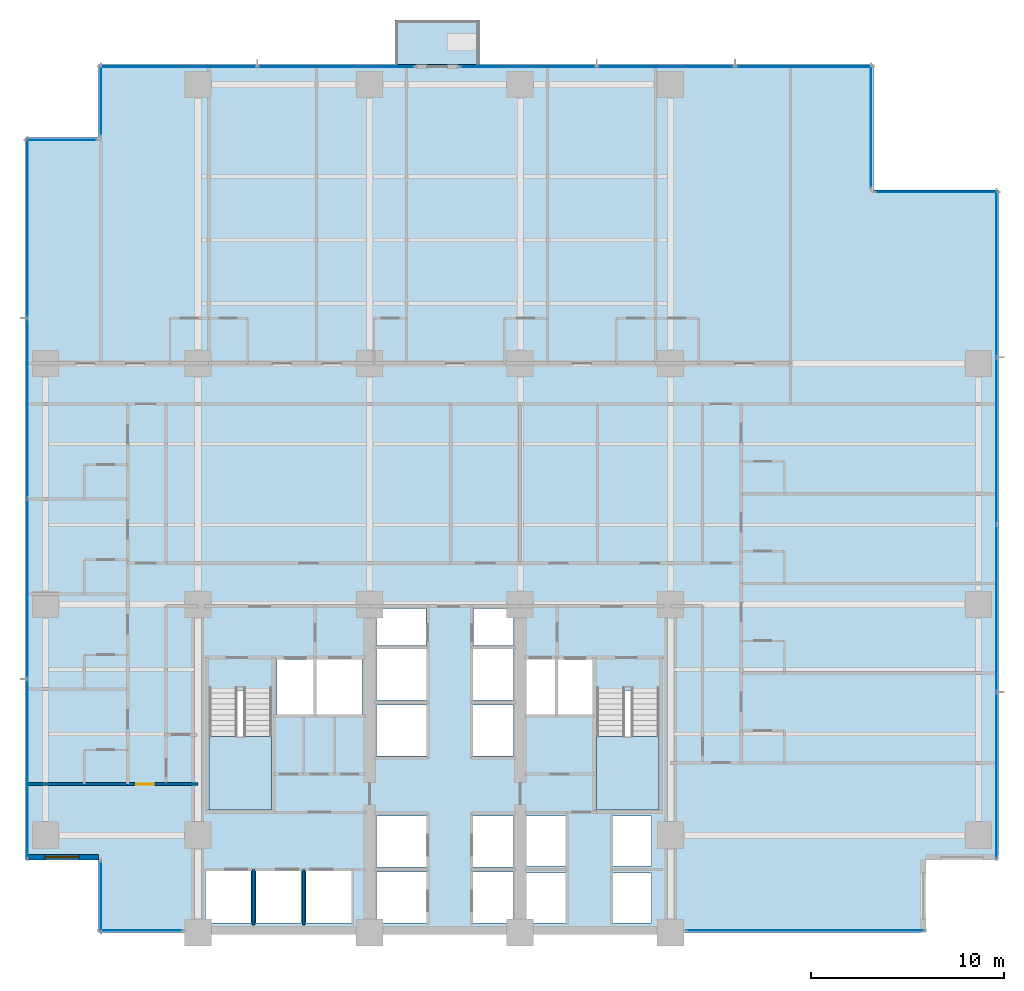
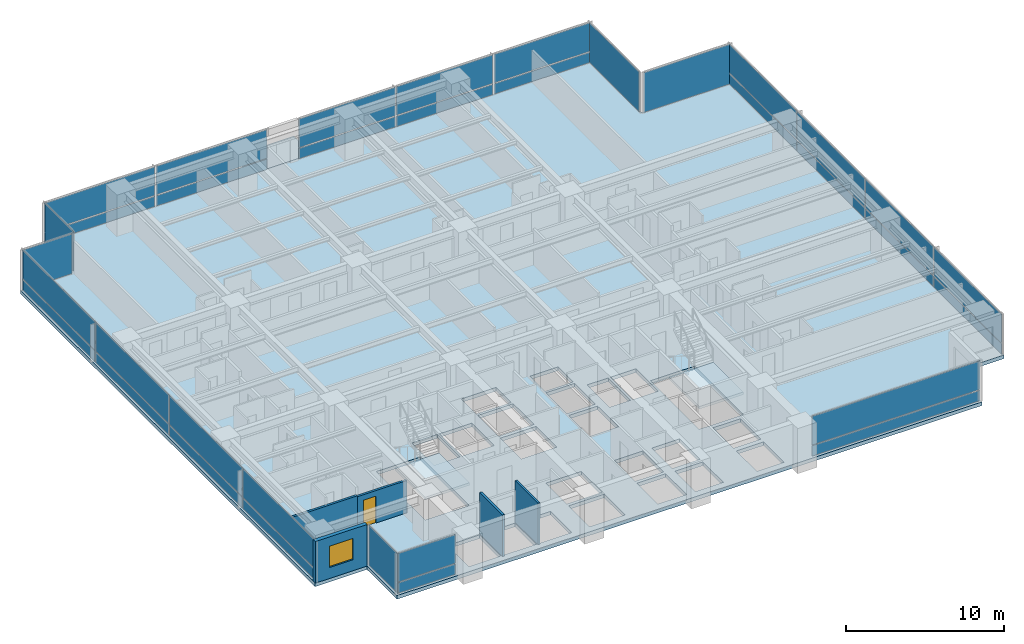
# One storey, part 6 of 17: 35 plates, 5 walls, 4 slabs, 1 door, 1 window, 2 openings, 13 elements without a shape of their own.
"""IFC4 building model written with IfcOpenShell, lengths in metres."""

from ifc_helpers import new_model, si_unit, direction, frame, frame_2d, origin, origin_2d, place, context, subcontext, project, spatial, polyline, rectangle, outline, extrude, material, layer, layer_set, type_object, element, fill, aggregate, save


model = new_model("IFC4")

# Units and contexts
model_context = context("Model", 3, precision=1e-05, world=origin(), true_north=direction((0.0, 1.0)))
body_context = subcontext(model_context, "Body", "Model", "MODEL_VIEW")
ifc_project = project(units=[si_unit("LENGTHUNIT", "METRE"), si_unit("AREAUNIT", "SQUARE_METRE"), si_unit("VOLUMEUNIT", "CUBIC_METRE"), si_unit("PLANEANGLEUNIT", "RADIAN"), si_unit("MASSUNIT", "GRAM", prefix="KILO")], contexts=[model_context])

# Site, building, storey
site_placement = place(None, origin())
site = spatial("IfcSite", under=ifc_project, at=site_placement, CompositionType="ELEMENT")
building_placement = place(site_placement, origin())
building = spatial("IfcBuilding", under=site, at=building_placement, Name="Qalmaran Belvedere Hotel", CompositionType="ELEMENT")
storey_placement = place(building_placement, frame((0.0, 0.0, 61.39990234375)))
storey = spatial("IfcBuildingStorey", under=building, at=storey_placement, Name="L15", CompositionType="ELEMENT", Elevation=61.39990234375)

# Curtain wall, plate
ifc_material_1 = material(Name="Anodised Bronze Aluminium", Category="aluminium")
ifc_layer_1 = layer(ifc_material_1, 0.2099609375, Name="Anodised Bronze Aluminium")
ifc_layer_set_1 = layer_set([ifc_layer_1], Name="Anodised Bronze Aluminium")
curtain_wall_type = type_object("IfcCurtainWallType", Name="CW2-TOWER-LOWER", PredefinedType="NOTDEFINED", material=ifc_layer_set_1)
curtain_wall_1_placement = place(storey_placement, origin())
curtain_wall_1 = element("IfcCurtainWall", 1, at=curtain_wall_1_placement, inside=storey, type_object=curtain_wall_type, Name="L15 Curtain Wall CW2", PredefinedType="NOTDEFINED")
ifc_material_2 = material(Name="Anodised Bronze Spandrel Panel")
ifc_layer_2 = layer(ifc_material_2, 0.035888671875, Name="Anodised Bronze Spandrel Panel")
ifc_layer_set_2 = layer_set([ifc_layer_2], Name="Anodised Bronze Spandrel Panel")
plate_type_1 = type_object("IfcPlateType", Name="CWP-SPANDREL-36", PredefinedType="CURTAIN_PANEL", material=ifc_layer_set_2)
plate_1_placement = place(storey_placement, frame((17.35498046875, 3.6201171875, 0.0703125), z_axis=(0.0, 0.0, 1.0), x_axis=(1.0, 0.0, 0.0)))
plate_1 = element("IfcPlate", 2, at=plate_1_placement, type_object=plate_type_1, Name="CW2 panel 1.1", PredefinedType="CURTAIN_PANEL", context=body_context, shape_type="SweptSolid", body=[
    extrude(rectangle(XDim=4.260009765625, YDim=0.035888671875, at=origin_2d()), origin(), (0.0, 0.0, 1.0), 0.796630859375),
])

curtain_wall_2_placement = place(storey_placement, origin())
curtain_wall_2 = element("IfcCurtainWall", 3, at=curtain_wall_2_placement, inside=storey, type_object=curtain_wall_type, Name="L15 Curtain Wall CW2", PredefinedType="NOTDEFINED")
plate_2_placement = place(storey_placement, frame((51.77001953125, 3.6201171875, 0.0703125), z_axis=(0.0, 0.0, 1.0), x_axis=(1.0, 0.0, 0.0)))
plate_2 = element("IfcPlate", 4, at=plate_2_placement, type_object=plate_type_1, Name="CW2 panel 1.1", PredefinedType="CURTAIN_PANEL", context=body_context, shape_type="SweptSolid", body=[
    extrude(rectangle(XDim=12.31005859375, YDim=0.035888671875, at=origin_2d()), origin(), (0.0, 0.0, 1.0), 0.796630859375),
])

# Curtain wall, plates
curtain_wall_3_placement = place(storey_placement, origin())
curtain_wall_3 = element("IfcCurtainWall", 5, at=curtain_wall_3_placement, inside=storey, type_object=curtain_wall_type, Name="L15 Curtain Wall CW2", PredefinedType="NOTDEFINED")
plate_3_placement = place(storey_placement, frame((61.679931640625, 11.65625, 0.0703125), z_axis=(0.0, 0.0, 1.0), x_axis=(0.0, 1.0, 0.0)))
plate_3 = element("IfcPlate", 6, at=plate_3_placement, type_object=plate_type_1, Name="CW2 panel 1.1", PredefinedType="CURTAIN_PANEL", context=body_context, shape_type="SweptSolid", body=[
    extrude(rectangle(XDim=8.5625, YDim=0.035888671875, at=origin_2d()), origin(), (0.0, 0.0, 1.0), 0.796630859375),
])
plate_4_placement = place(storey_placement, frame((61.679931640625, 20.3125, 0.0703125), z_axis=(0.0, 0.0, 1.0), x_axis=(0.0, 1.0, 0.0)))
plate_4 = element("IfcPlate", 7, at=plate_4_placement, type_object=plate_type_1, Name="CW2 panel 2.1", PredefinedType="CURTAIN_PANEL", context=body_context, shape_type="SweptSolid", body=[
    extrude(rectangle(XDim=8.60009765625, YDim=0.035888671875, at=origin_2d()), origin(), (0.0, 0.0, 1.0), 0.796630859375),
])
plate_5_placement = place(storey_placement, frame((61.679931640625, 28.987548828125, 0.0703125), z_axis=(0.0, 0.0, 1.0), x_axis=(0.0, 1.0, 0.0)))
plate_5 = element("IfcPlate", 8, at=plate_5_placement, type_object=plate_type_1, Name="CW2 panel 3.1", PredefinedType="CURTAIN_PANEL", context=body_context, shape_type="SweptSolid", body=[
    extrude(rectangle(XDim=8.60009765625, YDim=0.035888671875, at=origin_2d()), origin(), (0.0, 0.0, 1.0), 0.796630859375),
])
plate_6_placement = place(storey_placement, frame((61.679931640625, 37.643798828125, 0.0703125), z_axis=(0.0, 0.0, 1.0), x_axis=(0.0, 1.0, 0.0)))
plate_6 = element("IfcPlate", 9, at=plate_6_placement, type_object=plate_type_1, Name="CW2 panel 4.1", PredefinedType="CURTAIN_PANEL", context=body_context, shape_type="SweptSolid", body=[
    extrude(rectangle(XDim=8.5625, YDim=0.035888671875, at=origin_2d()), origin(), (0.0, 0.0, 1.0), 0.796630859375),
])

curtain_wall_4_placement = place(storey_placement, origin())
curtain_wall_4 = element("IfcCurtainWall", 10, at=curtain_wall_4_placement, inside=storey, type_object=curtain_wall_type, Name="L15 Curtain Wall CW2", PredefinedType="NOTDEFINED")
plate_7_placement = place(storey_placement, frame((27.46875, 48.3798828125, 0.0703125), z_axis=(0.0, 0.0, 1.0), x_axis=(-1.0, 0.0, 0.0)))
plate_7 = element("IfcPlate", 11, at=plate_7_placement, type_object=plate_type_1, Name="CW2 panel 1.1", PredefinedType="CURTAIN_PANEL", context=body_context, shape_type="SweptSolid", body=[
    extrude(rectangle(XDim=8.112548828125, YDim=0.035888671875, at=origin_2d()), origin(), (0.0, 0.0, 1.0), 0.796630859375),
])
plate_8_placement = place(storey_placement, frame((19.28125, 48.3798828125, 0.0703125), z_axis=(0.0, 0.0, 1.0), x_axis=(-1.0, 0.0, 0.0)))
plate_8 = element("IfcPlate", 12, at=plate_8_placement, type_object=plate_type_1, Name="CW2 panel 2.1", PredefinedType="CURTAIN_PANEL", context=body_context, shape_type="SweptSolid", body=[
    extrude(rectangle(XDim=8.112548828125, YDim=0.035888671875, at=origin_2d()), origin(), (0.0, 0.0, 1.0), 0.796630859375),
])

curtain_wall_5_placement = place(storey_placement, origin())
curtain_wall_5 = element("IfcCurtainWall", 13, at=curtain_wall_5_placement, inside=storey, type_object=curtain_wall_type, Name="L15 Curtain Wall CW2", PredefinedType="NOTDEFINED")
plate_9_placement = place(storey_placement, frame((51.697998046875, 48.3798828125, 0.0703125), z_axis=(0.0, 0.0, 1.0), x_axis=(-1.0, 0.0, 0.0)))
plate_9 = element("IfcPlate", 14, at=plate_9_placement, type_object=plate_type_1, Name="CW2 panel 1.1", PredefinedType="CURTAIN_PANEL", context=body_context, shape_type="SweptSolid", body=[
    extrude(rectangle(XDim=7.05419921875, YDim=0.035888671875, at=origin_2d()), origin(), (0.0, 0.0, 1.0), 0.796630859375),
])
plate_10_placement = place(storey_placement, frame((44.550048828125, 48.3798828125, 0.0703125), z_axis=(0.0, 0.0, 1.0), x_axis=(-1.0, 0.0, 0.0)))
plate_10 = element("IfcPlate", 15, at=plate_10_placement, type_object=plate_type_1, Name="CW2 panel 2.1", PredefinedType="CURTAIN_PANEL", context=body_context, shape_type="SweptSolid", body=[
    extrude(rectangle(XDim=7.091552734375, YDim=0.035888671875, at=origin_2d()), origin(), (0.0, 0.0, 1.0), 0.796630859375),
])
plate_11_placement = place(storey_placement, frame((37.402099609375, 48.3798828125, 0.0703125), z_axis=(0.0, 0.0, 1.0), x_axis=(-1.0, 0.0, 0.0)))
plate_11 = element("IfcPlate", 16, at=plate_11_placement, type_object=plate_type_1, Name="CW2 panel 3.1", PredefinedType="CURTAIN_PANEL", context=body_context, shape_type="SweptSolid", body=[
    extrude(rectangle(XDim=7.05419921875, YDim=0.035888671875, at=origin_2d()), origin(), (0.0, 0.0, 1.0), 0.796630859375),
])

curtain_wall_6_placement = place(storey_placement, origin())
curtain_wall_6 = element("IfcCurtainWall", 17, at=curtain_wall_6_placement, inside=storey, type_object=curtain_wall_type, Name="L15 Curtain Wall CW2", PredefinedType="NOTDEFINED")
plate_12_placement = place(storey_placement, frame((11.469970703125, 40.00634765625, 0.0703125), z_axis=(0.0, 0.0, 1.0), x_axis=(0.0, -1.0, 0.0)))
plate_12 = element("IfcPlate", 18, at=plate_12_placement, type_object=plate_type_1, Name="CW2 panel 1.1", PredefinedType="CURTAIN_PANEL", context=body_context, shape_type="SweptSolid", body=[
    extrude(rectangle(XDim=9.237548828125, YDim=0.035888671875, at=origin_2d()), origin(), (0.0, 0.0, 1.0), 0.796630859375),
])
plate_13_placement = place(storey_placement, frame((11.469970703125, 30.675048828125, 0.0703125), z_axis=(0.0, 0.0, 1.0), x_axis=(0.0, -1.0, 0.0)))
plate_13 = element("IfcPlate", 19, at=plate_13_placement, type_object=plate_type_1, Name="CW2 panel 2.1", PredefinedType="CURTAIN_PANEL", context=body_context, shape_type="SweptSolid", body=[
    extrude(rectangle(XDim=9.27490234375, YDim=0.035888671875, at=origin_2d()), origin(), (0.0, 0.0, 1.0), 0.796630859375),
])
plate_14_placement = place(storey_placement, frame((11.469970703125, 21.324951171875, 0.0703125), z_axis=(0.0, 0.0, 1.0), x_axis=(0.0, -1.0, 0.0)))
plate_14 = element("IfcPlate", 20, at=plate_14_placement, type_object=plate_type_1, Name="CW2 panel 3.1", PredefinedType="CURTAIN_PANEL", context=body_context, shape_type="SweptSolid", body=[
    extrude(rectangle(XDim=9.27490234375, YDim=0.035888671875, at=origin_2d()), origin(), (0.0, 0.0, 1.0), 0.796630859375),
])
plate_15_placement = place(storey_placement, frame((11.469970703125, 11.99365234375, 0.0703125), z_axis=(0.0, 0.0, 1.0), x_axis=(0.0, -1.0, 0.0)))
plate_15 = element("IfcPlate", 21, at=plate_15_placement, type_object=plate_type_1, Name="CW2 panel 4.1", PredefinedType="CURTAIN_PANEL", context=body_context, shape_type="SweptSolid", body=[
    extrude(rectangle(XDim=9.237548828125, YDim=0.035888671875, at=origin_2d()), origin(), (0.0, 0.0, 1.0), 0.796630859375),
])

# Plate
ifc_material_3 = material(Name="Solar-Control Double Glazing", Category="glass")
ifc_layer_3 = layer(ifc_material_3, 0.028076171875, Name="Solar-Control Double Glazing")
ifc_layer_set_3 = layer_set([ifc_layer_3], Name="Solar-Control Double Glazing")
plate_type_2 = type_object("IfcPlateType", Name="CWP-VISION-28", PredefinedType="CURTAIN_PANEL", material=ifc_layer_set_3)
plate_16_placement = place(storey_placement, frame((17.35498046875, 3.6201171875, 0.936767578125), z_axis=(0.0, 0.0, 1.0), x_axis=(1.0, 0.0, 0.0)))
plate_16 = element("IfcPlate", 22, at=plate_16_placement, type_object=plate_type_2, Name="CW2 panel 1.2", PredefinedType="CURTAIN_PANEL", context=body_context, shape_type="SweptSolid", body=[
    extrude(rectangle(XDim=4.260009765625, YDim=0.028076171875, at=origin_2d()), origin(), (0.0, 0.0, 1.0), 2.21337890625),
])

aggregate(curtain_wall_1, [plate_1, plate_16])

plate_17_placement = place(storey_placement, frame((51.77001953125, 3.6201171875, 0.936767578125), z_axis=(0.0, 0.0, 1.0), x_axis=(1.0, 0.0, 0.0)))
plate_17 = element("IfcPlate", 23, at=plate_17_placement, type_object=plate_type_2, Name="CW2 panel 1.2", PredefinedType="CURTAIN_PANEL", context=body_context, shape_type="SweptSolid", body=[
    extrude(rectangle(XDim=12.31005859375, YDim=0.028076171875, at=origin_2d()), origin(), (0.0, 0.0, 1.0), 2.21337890625),
])

aggregate(curtain_wall_2, [plate_2, plate_17])

plate_18_placement = place(storey_placement, frame((61.679931640625, 11.65625, 0.936767578125), z_axis=(0.0, 0.0, 1.0), x_axis=(0.0, 1.0, 0.0)))
plate_18 = element("IfcPlate", 24, at=plate_18_placement, type_object=plate_type_2, Name="CW2 panel 1.2", PredefinedType="CURTAIN_PANEL", context=body_context, shape_type="SweptSolid", body=[
    extrude(rectangle(XDim=8.5625, YDim=0.028076171875, at=origin_2d()), origin(), (0.0, 0.0, 1.0), 2.21337890625),
])

plate_19_placement = place(storey_placement, frame((61.679931640625, 20.3125, 0.936767578125), z_axis=(0.0, 0.0, 1.0), x_axis=(0.0, 1.0, 0.0)))
plate_19 = element("IfcPlate", 25, at=plate_19_placement, type_object=plate_type_2, Name="CW2 panel 2.2", PredefinedType="CURTAIN_PANEL", context=body_context, shape_type="SweptSolid", body=[
    extrude(rectangle(XDim=8.60009765625, YDim=0.028076171875, at=origin_2d()), origin(), (0.0, 0.0, 1.0), 2.21337890625),
])

plate_20_placement = place(storey_placement, frame((61.679931640625, 28.987548828125, 0.936767578125), z_axis=(0.0, 0.0, 1.0), x_axis=(0.0, 1.0, 0.0)))
plate_20 = element("IfcPlate", 26, at=plate_20_placement, type_object=plate_type_2, Name="CW2 panel 3.2", PredefinedType="CURTAIN_PANEL", context=body_context, shape_type="SweptSolid", body=[
    extrude(rectangle(XDim=8.60009765625, YDim=0.028076171875, at=origin_2d()), origin(), (0.0, 0.0, 1.0), 2.21337890625),
])

plate_21_placement = place(storey_placement, frame((61.679931640625, 37.643798828125, 0.936767578125), z_axis=(0.0, 0.0, 1.0), x_axis=(0.0, 1.0, 0.0)))
plate_21 = element("IfcPlate", 27, at=plate_21_placement, type_object=plate_type_2, Name="CW2 panel 4.2", PredefinedType="CURTAIN_PANEL", context=body_context, shape_type="SweptSolid", body=[
    extrude(rectangle(XDim=8.5625, YDim=0.028076171875, at=origin_2d()), origin(), (0.0, 0.0, 1.0), 2.21337890625),
])

aggregate(curtain_wall_3, [plate_3, plate_18, plate_4, plate_19, plate_5, plate_20, plate_6, plate_21])

# Curtain wall, plate
curtain_wall_7_placement = place(storey_placement, origin())
curtain_wall_7 = element("IfcCurtainWall", 28, at=curtain_wall_7_placement, inside=storey, type_object=curtain_wall_type, Name="L15 Curtain Wall CW2", PredefinedType="NOTDEFINED")
plate_22_placement = place(storey_placement, frame((58.550048828125, 41.8798828125, 0.070068359375), z_axis=(0.0, 0.0, 1.0), x_axis=(-1.0, 0.0, 0.0)))
plate_22 = element("IfcPlate", 29, at=plate_22_placement, type_object=plate_type_2, Name="CW2 panel 1.1", PredefinedType="CURTAIN_PANEL", context=body_context, shape_type="SweptSolid", body=[
    extrude(rectangle(XDim=6.35009765625, YDim=0.028076171875, at=origin_2d()), origin(), (0.0, 0.0, 1.0), 3.080078125),
])
aggregate(curtain_wall_7, [plate_22])

curtain_wall_8_placement = place(storey_placement, origin())
curtain_wall_8 = element("IfcCurtainWall", 30, at=curtain_wall_8_placement, inside=storey, type_object=curtain_wall_type, Name="L15 Curtain Wall CW2", PredefinedType="NOTDEFINED")
plate_23_placement = place(storey_placement, frame((55.179931640625, 45.25, 0.070068359375), z_axis=(0.0, 0.0, 1.0), x_axis=(0.0, 1.0, 0.0)))
plate_23 = element("IfcPlate", 31, at=plate_23_placement, type_object=plate_type_2, Name="CW2 panel 1.1", PredefinedType="CURTAIN_PANEL", context=body_context, shape_type="SweptSolid", body=[
    extrude(rectangle(XDim=6.35009765625, YDim=0.028076171875, at=origin_2d()), origin(), (0.0, 0.0, 1.0), 3.080078125),
])
aggregate(curtain_wall_8, [plate_23])

# Plate
plate_24_placement = place(storey_placement, frame((27.46875, 48.3798828125, 0.936767578125), z_axis=(0.0, 0.0, 1.0), x_axis=(-1.0, 0.0, 0.0)))
plate_24 = element("IfcPlate", 32, at=plate_24_placement, type_object=plate_type_2, Name="CW2 panel 1.2", PredefinedType="CURTAIN_PANEL", context=body_context, shape_type="SweptSolid", body=[
    extrude(rectangle(XDim=8.112548828125, YDim=0.028076171875, at=origin_2d()), origin(), (0.0, 0.0, 1.0), 2.21337890625),
])

plate_25_placement = place(storey_placement, frame((19.28125, 48.3798828125, 0.936767578125), z_axis=(0.0, 0.0, 1.0), x_axis=(-1.0, 0.0, 0.0)))
plate_25 = element("IfcPlate", 33, at=plate_25_placement, type_object=plate_type_2, Name="CW2 panel 2.2", PredefinedType="CURTAIN_PANEL", context=body_context, shape_type="SweptSolid", body=[
    extrude(rectangle(XDim=8.112548828125, YDim=0.028076171875, at=origin_2d()), origin(), (0.0, 0.0, 1.0), 2.21337890625),
])

aggregate(curtain_wall_4, [plate_7, plate_24, plate_8, plate_25])

plate_26_placement = place(storey_placement, frame((51.697998046875, 48.3798828125, 0.936767578125), z_axis=(0.0, 0.0, 1.0), x_axis=(-1.0, 0.0, 0.0)))
plate_26 = element("IfcPlate", 34, at=plate_26_placement, type_object=plate_type_2, Name="CW2 panel 1.2", PredefinedType="CURTAIN_PANEL", context=body_context, shape_type="SweptSolid", body=[
    extrude(rectangle(XDim=7.05419921875, YDim=0.028076171875, at=origin_2d()), origin(), (0.0, 0.0, 1.0), 2.21337890625),
])

plate_27_placement = place(storey_placement, frame((44.550048828125, 48.3798828125, 0.936767578125), z_axis=(0.0, 0.0, 1.0), x_axis=(-1.0, 0.0, 0.0)))
plate_27 = element("IfcPlate", 35, at=plate_27_placement, type_object=plate_type_2, Name="CW2 panel 2.2", PredefinedType="CURTAIN_PANEL", context=body_context, shape_type="SweptSolid", body=[
    extrude(rectangle(XDim=7.091552734375, YDim=0.028076171875, at=origin_2d()), origin(), (0.0, 0.0, 1.0), 2.21337890625),
])

plate_28_placement = place(storey_placement, frame((37.402099609375, 48.3798828125, 0.936767578125), z_axis=(0.0, 0.0, 1.0), x_axis=(-1.0, 0.0, 0.0)))
plate_28 = element("IfcPlate", 36, at=plate_28_placement, type_object=plate_type_2, Name="CW2 panel 3.2", PredefinedType="CURTAIN_PANEL", context=body_context, shape_type="SweptSolid", body=[
    extrude(rectangle(XDim=7.05419921875, YDim=0.028076171875, at=origin_2d()), origin(), (0.0, 0.0, 1.0), 2.21337890625),
])

aggregate(curtain_wall_5, [plate_9, plate_26, plate_10, plate_27, plate_11, plate_28])

# Curtain wall, plate
curtain_wall_9_placement = place(storey_placement, origin())
curtain_wall_9 = element("IfcCurtainWall", 37, at=curtain_wall_9_placement, inside=storey, type_object=curtain_wall_type, Name="L15 Curtain Wall CW2", PredefinedType="NOTDEFINED")
plate_29_placement = place(storey_placement, frame((15.27001953125, 46.60009765625, 0.070068359375), z_axis=(0.0, 0.0, 1.0), x_axis=(0.0, -1.0, 0.0)))
plate_29 = element("IfcPlate", 38, at=plate_29_placement, type_object=plate_type_2, Name="CW2 panel 1.1", PredefinedType="CURTAIN_PANEL", context=body_context, shape_type="SweptSolid", body=[
    extrude(rectangle(XDim=3.64990234375, YDim=0.028076171875, at=origin_2d()), origin(), (0.0, 0.0, 1.0), 3.080078125),
])
aggregate(curtain_wall_9, [plate_29])

curtain_wall_10_placement = place(storey_placement, origin())
curtain_wall_10 = element("IfcCurtainWall", 39, at=curtain_wall_10_placement, inside=storey, type_object=curtain_wall_type, Name="L15 Curtain Wall CW2", PredefinedType="NOTDEFINED")
plate_30_placement = place(storey_placement, frame((13.25, 44.580078125, 0.070068359375), z_axis=(0.0, 0.0, 1.0), x_axis=(-1.0, 0.0, 0.0)))
plate_30 = element("IfcPlate", 40, at=plate_30_placement, type_object=plate_type_2, Name="CW2 panel 1.1", PredefinedType="CURTAIN_PANEL", context=body_context, shape_type="SweptSolid", body=[
    extrude(rectangle(XDim=3.64990234375, YDim=0.028076171875, at=origin_2d()), origin(), (0.0, 0.0, 1.0), 3.080078125),
])
aggregate(curtain_wall_10, [plate_30])

# Plate
plate_31_placement = place(storey_placement, frame((11.469970703125, 40.00634765625, 0.936767578125), z_axis=(0.0, 0.0, 1.0), x_axis=(0.0, -1.0, 0.0)))
plate_31 = element("IfcPlate", 41, at=plate_31_placement, type_object=plate_type_2, Name="CW2 panel 1.2", PredefinedType="CURTAIN_PANEL", context=body_context, shape_type="SweptSolid", body=[
    extrude(rectangle(XDim=9.237548828125, YDim=0.028076171875, at=origin_2d()), origin(), (0.0, 0.0, 1.0), 2.21337890625),
])

plate_32_placement = place(storey_placement, frame((11.469970703125, 30.675048828125, 0.936767578125), z_axis=(0.0, 0.0, 1.0), x_axis=(0.0, -1.0, 0.0)))
plate_32 = element("IfcPlate", 42, at=plate_32_placement, type_object=plate_type_2, Name="CW2 panel 2.2", PredefinedType="CURTAIN_PANEL", context=body_context, shape_type="SweptSolid", body=[
    extrude(rectangle(XDim=9.27490234375, YDim=0.028076171875, at=origin_2d()), origin(), (0.0, 0.0, 1.0), 2.21337890625),
])

plate_33_placement = place(storey_placement, frame((11.469970703125, 21.324951171875, 0.936767578125), z_axis=(0.0, 0.0, 1.0), x_axis=(0.0, -1.0, 0.0)))
plate_33 = element("IfcPlate", 43, at=plate_33_placement, type_object=plate_type_2, Name="CW2 panel 3.2", PredefinedType="CURTAIN_PANEL", context=body_context, shape_type="SweptSolid", body=[
    extrude(rectangle(XDim=9.27490234375, YDim=0.028076171875, at=origin_2d()), origin(), (0.0, 0.0, 1.0), 2.21337890625),
])

plate_34_placement = place(storey_placement, frame((11.469970703125, 11.99365234375, 0.936767578125), z_axis=(0.0, 0.0, 1.0), x_axis=(0.0, -1.0, 0.0)))
plate_34 = element("IfcPlate", 44, at=plate_34_placement, type_object=plate_type_2, Name="CW2 panel 4.2", PredefinedType="CURTAIN_PANEL", context=body_context, shape_type="SweptSolid", body=[
    extrude(rectangle(XDim=9.237548828125, YDim=0.028076171875, at=origin_2d()), origin(), (0.0, 0.0, 1.0), 2.21337890625),
])

aggregate(curtain_wall_6, [plate_12, plate_31, plate_13, plate_32, plate_14, plate_33, plate_15, plate_34])

# Curtain wall, plate
curtain_wall_11_placement = place(storey_placement, origin())
curtain_wall_11 = element("IfcCurtainWall", 45, at=curtain_wall_11_placement, inside=storey, type_object=curtain_wall_type, Name="L15 Curtain Wall CW2", PredefinedType="NOTDEFINED")
plate_35_placement = place(storey_placement, frame((15.27001953125, 5.39990234375, 0.070068359375), z_axis=(0.0, 0.0, 1.0), x_axis=(0.0, -1.0, 0.0)))
plate_35 = element("IfcPlate", 46, at=plate_35_placement, type_object=plate_type_2, Name="CW2 panel 1.1", PredefinedType="CURTAIN_PANEL", context=body_context, shape_type="SweptSolid", body=[
    extrude(rectangle(XDim=3.64990234375, YDim=0.028076171875, at=origin_2d()), origin(), (0.0, 0.0, 1.0), 3.080078125),
])
aggregate(curtain_wall_11, [plate_35])

# Slab
ifc_material_4 = material(Name="Concrete C40/50", Category="concrete")
ifc_layer_4 = layer(ifc_material_4, 0.219970703125, Name="Concrete C40/50")
ifc_layer_set_4 = layer_set([ifc_layer_4], Name="Concrete C40/50")
slab_type_1 = type_object("IfcSlabType", Name="SLB-BAL-220", PredefinedType="USERDEFINED", material=ifc_layer_set_4)
slab_1_placement = place(storey_placement, frame((0.0, 0.0, -0.219970703125)))
element("IfcSlab", 47, at=slab_1_placement, inside=storey, type_object=slab_type_1, Name="L15 Planted Tree Balcony Slab 1", ObjectType="BALCONY", PredefinedType="USERDEFINED", context=body_context, shape_type="SweptSolid", body=[
    extrude(outline(polyline([(30.5, 48.5), (34.89990234375, 48.5), (34.89990234375, 50.800048828125), (30.5, 50.800048828125), (30.5, 48.5)])), origin(), (0.0, 0.0, 1.0), 0.219970703125),
])

# Stair, slab
stair_type_1 = type_object("IfcStairType", Name="STR-ST-1-1450-R1750", PredefinedType="HALF_TURN_STAIR", material=ifc_material_4)
stair_1_placement = place(storey_placement, origin())
stair_1 = element("IfcStair", 48, at=stair_1_placement, inside=storey, type_object=stair_type_1, Name="L15 West Core Exit Stair ST-1", PredefinedType="HALF_TURN_STAIR")
ifc_layer_5 = layer(ifc_material_4, 0.199951171875, Name="Concrete C40/50")
ifc_layer_set_5 = layer_set([ifc_layer_5], Name="Concrete C40/50")
slab_type_2 = type_object("IfcSlabType", Name="SLB-STAIR-LANDING-200", PredefinedType="LANDING", material=ifc_layer_set_5)
slab_2_placement = place(storey_placement, frame((0.0, 0.0, 1.550048828125)))
slab_2 = element("IfcSlab", 49, at=slab_2_placement, type_object=slab_type_2, Name="ST-1 landing 1", PredefinedType="LANDING", context=body_context, shape_type="SweptSolid", body=[
    extrude(outline(polyline([(20.8798828125, 13.669921875), (20.8798828125, 9.85009765625), (24.1201171875, 9.85009765625), (24.1201171875, 13.669921875), (20.8798828125, 13.669921875)])), origin(), (0.0, 0.0, 1.0), 0.199951171875),
])
aggregate(stair_1, [slab_2])

stair_type_2 = type_object("IfcStairType", Name="STR-ST-2-1450-R1750", PredefinedType="HALF_TURN_STAIR", material=ifc_material_4)
stair_2_placement = place(storey_placement, origin())
stair_2 = element("IfcStair", 50, at=stair_2_placement, inside=storey, type_object=stair_type_2, Name="L15 East Core Exit Stair ST-2", PredefinedType="HALF_TURN_STAIR")
slab_3_placement = place(storey_placement, frame((0.0, 0.0, 1.550048828125)))
slab_3 = element("IfcSlab", 51, at=slab_3_placement, type_object=slab_type_2, Name="ST-2 landing 1", PredefinedType="LANDING", context=body_context, shape_type="SweptSolid", body=[
    extrude(outline(polyline([(40.9599609375, 13.669921875), (40.9599609375, 9.85009765625), (44.199951171875, 9.85009765625), (44.199951171875, 13.669921875), (40.9599609375, 13.669921875)])), origin(), (0.0, 0.0, 1.0), 0.199951171875),
])
aggregate(stair_2, [slab_3])

# Slab
ifc_layer_6 = layer(ifc_material_4, 0.280029296875, Name="Concrete C40/50")
ifc_layer_set_6 = layer_set([ifc_layer_6], Name="Concrete C40/50")
slab_type_3 = type_object("IfcSlabType", Name="SLB-Z1-280", PredefinedType="FLOOR", material=ifc_layer_set_6)
slab_4_placement = place(storey_placement, frame((0.0, 0.0, -0.27978515625)))
element("IfcSlab", 52, at=slab_4_placement, inside=storey, type_object=slab_type_3, Name="L15 Structural Floor Slab", PredefinedType="FLOOR", context=body_context, shape_type="SweptSolid", body=[
    extrude(outline(polyline([(15.14990234375, 3.5), (58.0, 3.5), (58.0, 7.300048828125), (61.800048828125, 7.300048828125), (61.800048828125, 42.0), (55.300048828125, 42.0), (55.300048828125, 48.5), (15.14990234375, 48.5), (15.14990234375, 44.699951171875), (11.35009765625, 44.699951171875), (11.35009765625, 7.300048828125), (15.14990234375, 7.300048828125), (15.14990234375, 3.5)]), holes=[polyline([(20.8798828125, 9.85009765625), (24.1201171875, 9.85009765625), (24.1201171875, 16.0400390625), (20.8798828125, 16.0400390625), (20.8798828125, 9.85009765625)]), polyline([(40.9599609375, 9.85009765625), (44.199951171875, 9.85009765625), (44.199951171875, 16.0400390625), (40.9599609375, 16.0400390625), (40.9599609375, 9.85009765625)]), polyline([(29.544921875, 4.0), (32.14990234375, 4.0), (32.14990234375, 6.64990234375), (29.544921875, 6.64990234375), (29.544921875, 4.0)]), polyline([(29.544921875, 6.89990234375), (32.14990234375, 6.89990234375), (32.14990234375, 9.550048828125), (29.544921875, 9.550048828125), (29.544921875, 6.89990234375)]), polyline([(34.550048828125, 4.0), (36.655029296875, 4.0), (36.655029296875, 6.64990234375), (34.550048828125, 6.64990234375), (34.550048828125, 4.0)]), polyline([(34.550048828125, 6.89990234375), (36.655029296875, 6.89990234375), (36.655029296875, 9.550048828125), (34.550048828125, 9.550048828125), (34.550048828125, 6.89990234375)]), polyline([(29.544921875, 12.64990234375), (32.14990234375, 12.64990234375), (32.14990234375, 15.300048828125), (29.544921875, 15.300048828125), (29.544921875, 12.64990234375)]), polyline([(29.544921875, 15.550048828125), (32.14990234375, 15.550048828125), (32.14990234375, 18.199951171875), (29.544921875, 18.199951171875), (29.544921875, 15.550048828125)]), polyline([(34.550048828125, 12.64990234375), (36.655029296875, 12.64990234375), (36.655029296875, 15.300048828125), (34.550048828125, 15.300048828125), (34.550048828125, 12.64990234375)]), polyline([(34.550048828125, 15.550048828125), (36.655029296875, 15.550048828125), (36.655029296875, 18.199951171875), (34.550048828125, 18.199951171875), (34.550048828125, 15.550048828125)]), polyline([(37.300048828125, 4.0), (39.35009765625, 4.0), (39.35009765625, 6.60009765625), (37.300048828125, 6.60009765625), (37.300048828125, 4.0)]), polyline([(37.300048828125, 6.949951171875), (39.35009765625, 6.949951171875), (39.35009765625, 9.550048828125), (37.300048828125, 9.550048828125), (37.300048828125, 6.949951171875)]), polyline([(41.800048828125, 4.0), (43.800048828125, 4.0), (43.800048828125, 6.60009765625), (41.800048828125, 6.60009765625), (41.800048828125, 4.0)]), polyline([(41.800048828125, 6.949951171875), (43.800048828125, 6.949951171875), (43.800048828125, 9.550048828125), (41.800048828125, 9.550048828125), (41.800048828125, 6.949951171875)]), polyline([(20.699951171875, 4.0), (23.050048828125, 4.0), (23.050048828125, 6.699951171875), (20.699951171875, 6.699951171875), (20.699951171875, 4.0)]), polyline([(23.300048828125, 4.0), (25.64990234375, 4.0), (25.64990234375, 6.699951171875), (23.300048828125, 6.699951171875), (23.300048828125, 4.0)]), polyline([(25.89990234375, 4.0), (28.25, 4.0), (28.25, 6.699951171875), (25.89990234375, 6.699951171875), (25.89990234375, 4.0)]), polyline([(24.39990234375, 14.800048828125), (26.300048828125, 14.800048828125), (26.300048828125, 17.64990234375), (24.39990234375, 17.64990234375), (24.39990234375, 14.800048828125)]), polyline([(38.949951171875, 14.800048828125), (40.820068359375, 14.800048828125), (40.820068359375, 17.64990234375), (38.949951171875, 17.64990234375), (38.949951171875, 14.800048828125)]), polyline([(26.449951171875, 14.800048828125), (28.800048828125, 14.800048828125), (28.800048828125, 17.64990234375), (26.449951171875, 17.64990234375), (26.449951171875, 14.800048828125)]), polyline([(37.25, 14.800048828125), (38.800048828125, 14.800048828125), (38.800048828125, 17.64990234375), (37.25, 17.64990234375), (37.25, 14.800048828125)]), polyline([(29.544921875, 18.3798828125), (32.1201171875, 18.3798828125), (32.1201171875, 20.300048828125), (29.544921875, 20.300048828125), (29.544921875, 18.3798828125)]), polyline([(34.580078125, 18.3798828125), (36.655029296875, 18.3798828125), (36.655029296875, 20.300048828125), (34.580078125, 20.300048828125), (34.580078125, 18.3798828125)])]), origin(), (0.0, 0.0, 1.0), 0.27978515625),
])

# Wall, opening, window
ifc_material_5 = material(Name="Anodised Bronze Cladding")
ifc_layer_7 = layer(ifc_material_5, 0.280029296875, Name="Anodised Bronze Cladding")
ifc_layer_set_7 = layer_set([ifc_layer_7], Name="Anodised Bronze Cladding")
wall_type_1 = type_object("IfcWallType", Name="WL-EXT-BRNZ-280", PredefinedType="SOLIDWALL", material=ifc_layer_set_7)
wall_1_placement = place(storey_placement, frame((11.35009765625, 7.419921875, 0.0), z_axis=(0.0, 0.0, 1.0), x_axis=(1.0, 0.0, 0.0)))
wall_1 = element("IfcWall", 53, at=wall_1_placement, inside=storey, type_object=wall_type_1, Name="L15 Corner Notch Wall 10", PredefinedType="SOLIDWALL", context=body_context, shape_type="SweptSolid", body=[
    extrude(rectangle(XDim=3.7998046875, YDim=0.280029296875, at=frame_2d((1.89990234375, 0.0))), origin(), (0.0, 0.0, 1.0), 3.22021484375),
])
opening_1_placement = place(wall_1_placement, frame((1.02490234375, 0.0, 0.85009765625)))
opening_1 = element("IfcOpeningElement", 54, at=opening_1_placement, cuts=wall_1, Name="Opening W-N17", PredefinedType="OPENING", context=body_context, shape_type="SweptSolid", body=[
    extrude(rectangle(XDim=1.75, YDim=1.64990234375, at=frame_2d((0.875, 0.824951171875))), frame((0.0, 0.14990234375, 0.0), z_axis=(0.0, -1.0, 0.0), x_axis=(1.0, 0.0, 0.0)), (0.0, 0.0, 1.0), 0.300048828125),
])
window_type = type_object("IfcWindowType", Name="WN-NTC-1750X1650", PartitioningType="SINGLE_PANEL", PredefinedType="WINDOW", material=ifc_material_3)
window_placement = place(opening_1_placement, origin())
window = element("IfcWindow", 55, at=window_placement, inside=storey, type_object=window_type, Name="L15 Corner Notch Window 10", OverallHeight=1.64990234375, OverallWidth=1.75, PartitioningType="SINGLE_PANEL", PredefinedType="WINDOW", context=body_context, shape_type="SweptSolid", body=[
    extrude(rectangle(XDim=1.75, YDim=1.64990234375, at=frame_2d((0.875, 0.824951171875))), frame((0.0, 0.030029296875, 0.0), z_axis=(0.0, -1.0, 0.0), x_axis=(1.0, 0.0, 0.0)), (0.0, 0.0, 1.0), 0.06005859375),
])
fill(opening_1, window)

# Walls
ifc_material_6 = material(Name="Gypsum Stud Partition")
ifc_layer_8 = layer(ifc_material_6, 0.14990234375, Name="Gypsum Stud Partition")
ifc_layer_set_8 = layer_set([ifc_layer_8], Name="Gypsum Stud Partition")
wall_type_2 = type_object("IfcWallType", Name="WL-INT-150-EI120", PredefinedType="PARTITIONING", material=ifc_layer_set_8)
for number, where, z_axis, x_axis, name in (
    (56, (23.179931640625, 3.89990234375, 0.0), (0.0, 0.0, 1.0), (0.0, 1.0, 0.0), "L15 Partition WL-POM1-L15"),
    (57, (25.780029296875, 3.89990234375, 0.0), (0.0, 0.0, 1.0), (0.0, 1.0, 0.0), "L15 Partition WL-POM2-L15"),
):
    element("IfcWall", number, at=place(storey_placement, frame(where, z_axis=z_axis, x_axis=x_axis)), inside=storey, type_object=wall_type_2, Name=name, PredefinedType="PARTITIONING", context=body_context, shape_type="SweptSolid", body=[
        extrude(rectangle(XDim=2.880126953125, YDim=0.14990234375, at=frame_2d((1.43994140625, 0.0))), origin(), (0.0, 0.0, 1.0), 3.22021484375),
    ])

# Wall, opening, door
ifc_layer_9 = layer(ifc_material_6, 0.159912109375, Name="Gypsum Stud Partition")
ifc_layer_set_9 = layer_set([ifc_layer_9], Name="Gypsum Stud Partition")
wall_type_3 = type_object("IfcWallType", Name="WL-INT-160-EI60", PredefinedType="PARTITIONING", material=ifc_layer_set_9)
wall_2_placement = place(storey_placement, frame((16.64990234375, 11.199951171875, 0.0), z_axis=(0.0, 0.0, 1.0), x_axis=(1.0, 0.0, 0.0)))
wall_2 = element("IfcWall", 58, at=wall_2_placement, inside=storey, type_object=wall_type_3, Name="L15 Partition WL-L15-SWRL", PredefinedType="PARTITIONING", context=body_context, shape_type="SweptSolid", body=[
    extrude(rectangle(XDim=3.650146484375, YDim=0.159912109375, at=frame_2d((1.8251953125, 0.0))), origin(), (0.0, 0.0, 1.0), 2.510009765625),
])
opening_2_placement = place(wall_2_placement, frame((1.369873046875, 0.0, 0.0), z_axis=(0.0, 0.0, 1.0), x_axis=(-1.0, 0.0, 0.0)))
opening_2 = element("IfcOpeningElement", 59, at=opening_2_placement, cuts=wall_2, Name="Opening FD60S1", PredefinedType="OPENING", context=body_context, shape_type="SweptSolid", body=[
    extrude(rectangle(XDim=0.919921875, YDim=2.080078125, at=frame_2d((0.4599609375, 1.0400390625))), frame((0.0, 0.08984375, 0.0), z_axis=(0.0, -1.0, 0.0), x_axis=(1.0, 0.0, 0.0)), (0.0, 0.0, 1.0), 0.179931640625),
])
ifc_material_7 = material(Name="Engineered Oak Veneer")
door_type = type_object("IfcDoorType", Name="DR-FD60S-920X2080", OperationType="NOTDEFINED", PredefinedType="DOOR", material=ifc_material_7)
door_placement = place(opening_2_placement, origin())
door = element("IfcDoor", 60, at=door_placement, inside=storey, type_object=door_type, Name="L15 SW Lounge Door", OperationType="SINGLE_SWING_RIGHT", OverallHeight=2.080078125, OverallWidth=0.919921875, PredefinedType="DOOR", context=body_context, shape_type="SweptSolid", body=[
    extrude(rectangle(XDim=0.919921875, YDim=2.080078125, at=frame_2d((0.4599609375, 1.0400390625))), frame((0.0, 0.02490234375, 0.0), z_axis=(0.0, -1.0, 0.0), x_axis=(1.0, 0.0, 0.0)), (0.0, 0.0, 1.0), 0.050048828125),
])
fill(opening_2, door)

# Wall
wall_3_placement = place(storey_placement, frame((11.469970703125, 11.199951171875, 0.0), z_axis=(0.0, 0.0, 1.0), x_axis=(1.0, 0.0, 0.0)))
element("IfcWall", 61, at=wall_3_placement, inside=storey, type_object=wall_type_3, Name="L15 Partition WL-L15-WBOT", PredefinedType="PARTITIONING", context=body_context, shape_type="SweptSolid", body=[
    extrude(rectangle(XDim=5.179931640625, YDim=0.159912109375, at=frame_2d((2.58984375, 0.0))), origin(), (0.0, 0.0, 1.0), 2.5830078125),
])

save(model, "model.ifc")
